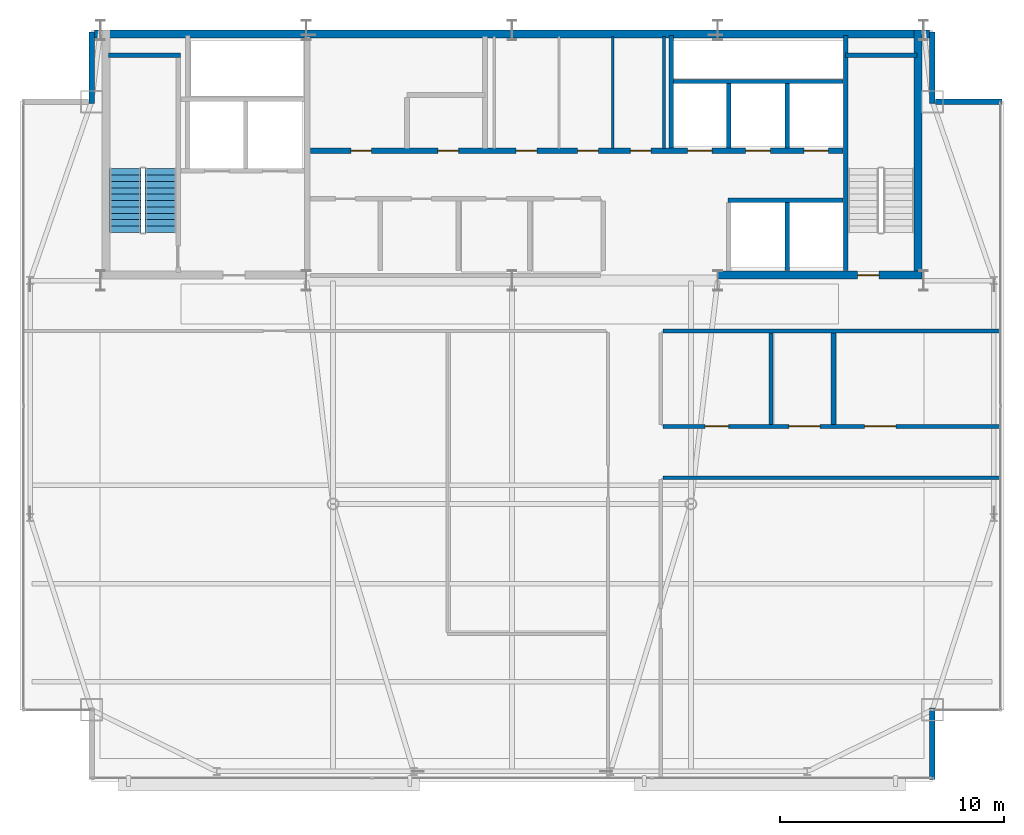
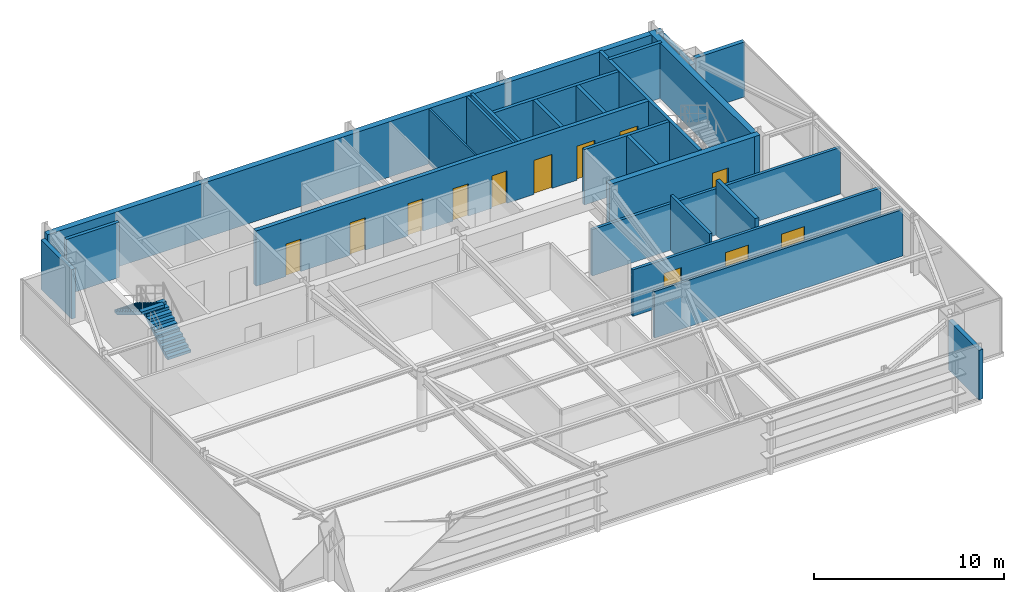
# One storey, part 22 of 24: 24 walls, 12 doors, 2 stair flights, 12 openings, 1 element without a shape of its own.
"""IFC4 building model written with IfcOpenShell, lengths in metres."""

from ifc_helpers import new_model, si_unit, direction, frame, frame_2d, origin, place, context, subcontext, project, spatial, polyline, rectangle, outline, extrude, source, transform, mapped, material, layer, layer_set, type_object, type_shapes, element, fill, aggregate, save


model = new_model("IFC4")

# Units and contexts
model_context = context("Model", 3, precision=1e-05, world=origin(), true_north=direction((0.0, 1.0)))
body_context = subcontext(model_context, "Body", "Model", "MODEL_VIEW")
ifc_project = project(units=[si_unit("LENGTHUNIT", "METRE"), si_unit("AREAUNIT", "SQUARE_METRE"), si_unit("VOLUMEUNIT", "CUBIC_METRE"), si_unit("PLANEANGLEUNIT", "RADIAN"), si_unit("MASSUNIT", "GRAM", prefix="KILO")], contexts=[model_context])

# Site, building, storey
site_placement = place(None, origin())
site = spatial("IfcSite", under=ifc_project, at=site_placement, CompositionType="ELEMENT")
building_placement = place(site_placement, origin())
building = spatial("IfcBuilding", under=site, at=building_placement, Name="Varnel Quay Broadcast Tower", CompositionType="ELEMENT")
storey_placement = place(building_placement, frame((0.0, 0.0, 269.800048828125)))
storey = spatial("IfcBuildingStorey", under=building, at=storey_placement, Name="L67", CompositionType="ELEMENT", Elevation=269.800048828125)

# Walls
ifc_material_1 = material(Name="Concrete CSA A23.3 C50/60", Category="concrete")
ifc_layer_1 = layer(ifc_material_1, 0.199951171875, Name="Concrete CSA A23.3 C50/60")
ifc_layer_set_1 = layer_set([ifc_layer_1], Name="Concrete CSA A23.3 C50/60")
wall_type_1 = type_object("IfcWallType", Name="Wall_CoreShaftShear200", PredefinedType="SHEAR", material=ifc_layer_set_1)
wall_1_placement = place(storey_placement, frame((15.949951171875, 45.679931640625, 0.0), z_axis=(0.0, 0.0, 1.0), x_axis=(1.0, 0.0, 0.0)))
element("IfcWall", 1, at=wall_1_placement, inside=storey, type_object=wall_type_1, Name="L67 Stair 1 North Structural Wall", PredefinedType="SHEAR", context=body_context, shape_type="SweptSolid", body=[
    extrude(rectangle(XDim=3.22998046875, YDim=0.199951171875, at=frame_2d((1.614990234375, 0.0))), origin(), (0.0, 0.0, 1.0), 3.550048828125),
])
wall_2_placement = place(storey_placement, frame((48.919921875, 36.050048828125, 0.0), z_axis=(0.0, 0.0, 1.0), x_axis=(0.0, 1.0, 0.0)))
element("IfcWall", 2, at=wall_2_placement, inside=storey, type_object=wall_type_1, Name="L67 Stair 2 West Structural Wall", PredefinedType="SHEAR", context=body_context, shape_type="SweptSolid", body=[
    extrude(rectangle(XDim=10.5, YDim=0.199951171875, at=frame_2d((5.25, 0.0))), origin(), (0.0, 0.0, 1.0), 3.550048828125),
])
wall_3_placement = place(storey_placement, frame((48.919921875, 45.679931640625, 0.0), z_axis=(0.0, 0.0, 1.0), x_axis=(1.0, 0.0, 0.0)))
element("IfcWall", 3, at=wall_3_placement, inside=storey, type_object=wall_type_1, Name="L67 Stair 2 North Structural Wall", PredefinedType="SHEAR", context=body_context, shape_type="SweptSolid", body=[
    extrude(rectangle(XDim=3.18017578125, YDim=0.199951171875, at=frame_2d((1.590087890625, 0.0))), origin(), (0.0, 0.0, 1.0), 3.550048828125),
])
wall_4_placement = place(storey_placement, frame((41.219970703125, 44.5, 0.0), z_axis=(0.0, 0.0, 1.0), x_axis=(1.0, 0.0, 0.0)))
element("IfcWall", 4, at=wall_4_placement, inside=storey, type_object=wall_type_1, Name="L67 High-Rise Lift Shaft Rear Wall", PredefinedType="SHEAR", context=body_context, shape_type="SweptSolid", body=[
    extrude(rectangle(XDim=7.580078125, YDim=0.199951171875, at=frame_2d((3.7900390625, 0.0))), origin(), (0.0, 0.0, 1.0), 3.550048828125),
])
wall_5_placement = place(storey_placement, frame((41.1201171875, 41.530029296875, 0.0), z_axis=(0.0, 0.0, 1.0), x_axis=(0.0, 1.0, 0.0)))
element("IfcWall", 5, at=wall_5_placement, inside=storey, type_object=wall_type_1, Name="L67 High-Rise Lift Shaft Divider 1", PredefinedType="SHEAR", context=body_context, shape_type="SweptSolid", body=[
    extrude(rectangle(XDim=5.02001953125, YDim=0.199951171875, at=frame_2d((2.510009765625, 0.0))), origin(), (0.0, 0.0, 1.0), 3.550048828125),
])
for number, where, z_axis, x_axis, name in (
    (6, (43.699951171875, 41.530029296875, 0.0), (0.0, 0.0, 1.0), (0.0, 1.0, 0.0), "L67 High-Rise Lift Shaft Divider 2"),
    (7, (46.300048828125, 41.530029296875, 0.0), (0.0, 0.0, 1.0), (0.0, 1.0, 0.0), "L67 High-Rise Lift Shaft Divider 3"),
):
    element("IfcWall", number, at=place(storey_placement, frame(where, z_axis=z_axis, x_axis=x_axis)), inside=storey, type_object=wall_type_1, Name=name, PredefinedType="SHEAR", context=body_context, shape_type="SweptSolid", body=[
        extrude(rectangle(XDim=2.869873046875, YDim=0.199951171875, at=frame_2d((1.43505859375, 0.0))), origin(), (0.0, 0.0, 1.0), 3.550048828125),
    ])
wall_6_placement = place(storey_placement, frame((46.300048828125, 36.050048828125, 0.0), z_axis=(0.0, 0.0, 1.0), x_axis=(0.0, 1.0, 0.0)))
element("IfcWall", 8, at=wall_6_placement, inside=storey, type_object=wall_type_1, Name="L67 Express Lift Shaft Divider", PredefinedType="SHEAR", context=body_context, shape_type="SweptSolid", body=[
    extrude(rectangle(XDim=3.050048828125, YDim=0.199951171875, at=frame_2d((1.52490234375, 0.0))), origin(), (0.0, 0.0, 1.0), 3.550048828125),
])
wall_7_placement = place(storey_placement, frame((43.64990234375, 39.199951171875, 0.0), z_axis=(0.0, 0.0, 1.0), x_axis=(1.0, 0.0, 0.0)))
element("IfcWall", 9, at=wall_7_placement, inside=storey, type_object=wall_type_1, Name="L67 Express Lift Shaft North Front Wall", PredefinedType="SHEAR", context=body_context, shape_type="SweptSolid", body=[
    extrude(rectangle(XDim=5.150146484375, YDim=0.199951171875, at=frame_2d((2.5751953125, 0.0))), origin(), (0.0, 0.0, 1.0), 3.550048828125),
])

# Wall, openings, doors
ifc_layer_2 = layer(ifc_material_1, 0.25, Name="Concrete CSA A23.3 C50/60")
ifc_layer_set_2 = layer_set([ifc_layer_2], Name="Concrete CSA A23.3 C50/60")
wall_type_2 = type_object("IfcWallType", Name="Wall_CoreShaftShear250", PredefinedType="SHEAR", material=ifc_layer_set_2)
wall_8_placement = place(storey_placement, frame((24.97998046875, 41.39990234375, 0.0), z_axis=(0.0, 0.0, 1.0), x_axis=(1.0, 0.0, 0.0)))
wall_8 = element("IfcWall", 10, at=wall_8_placement, inside=storey, type_object=wall_type_2, Name="L67 North Lift Bank & Reclaimed Suite Wall", PredefinedType="SHEAR", context=body_context, shape_type="SweptSolid", body=[
    extrude(rectangle(XDim=23.820068359375, YDim=0.25, at=frame_2d((11.91015625, 0.0))), origin(), (0.0, 0.0, 1.0), 3.550048828125),
])
opening_1_placement = place(wall_8_placement, frame((16.8701171875, 0.0, 0.0)))
opening_1 = element("IfcOpeningElement", 11, at=opening_1_placement, cuts=wall_8, Name="Opening LD-L67-PH-01", PredefinedType="OPENING", context=body_context, shape_type="SweptSolid", body=[
    extrude(rectangle(XDim=1.10009765625, YDim=2.179931640625, at=frame_2d((0.550048828125, 1.08984375))), frame((0.0, 0.135009765625, 0.0), z_axis=(0.0, -1.0, 0.0), x_axis=(1.0, 0.0, 0.0)), (0.0, 0.0, 1.0), 0.27001953125),
])
opening_2_placement = place(wall_8_placement, frame((19.469970703125, 0.0, 0.0)))
opening_2 = element("IfcOpeningElement", 12, at=opening_2_placement, cuts=wall_8, Name="Opening LD-L67-PH-02", PredefinedType="OPENING", context=body_context, shape_type="SweptSolid", body=[
    extrude(rectangle(XDim=1.10009765625, YDim=2.179931640625, at=frame_2d((0.550048828125, 1.08984375))), frame((0.0, 0.135009765625, 0.0), z_axis=(0.0, -1.0, 0.0), x_axis=(1.0, 0.0, 0.0)), (0.0, 0.0, 1.0), 0.27001953125),
])
opening_3_placement = place(wall_8_placement, frame((22.070068359375, 0.0, 0.0)))
opening_3 = element("IfcOpeningElement", 13, at=opening_3_placement, cuts=wall_8, Name="Opening LD-L67-PH-03", PredefinedType="OPENING", context=body_context, shape_type="SweptSolid", body=[
    extrude(rectangle(XDim=1.10009765625, YDim=2.179931640625, at=frame_2d((0.550048828125, 1.08984375))), frame((0.0, 0.135009765625, 0.0), z_axis=(0.0, -1.0, 0.0), x_axis=(1.0, 0.0, 0.0)), (0.0, 0.0, 1.0), 0.27001953125),
])
opening_4_placement = place(wall_8_placement, frame((1.81005859375, 0.0, 0.0)))
opening_4 = element("IfcOpeningElement", 14, at=opening_4_placement, cuts=wall_8, Name="Opening D-L67-RECA1", PredefinedType="OPENING", context=body_context, shape_type="SweptSolid", body=[
    extrude(rectangle(XDim=0.919921875, YDim=2.080078125, at=frame_2d((0.4599609375, 1.0400390625))), frame((0.0, 0.135009765625, 0.0), z_axis=(0.0, -1.0, 0.0), x_axis=(1.0, 0.0, 0.0)), (0.0, 0.0, 1.0), 0.27001953125),
])
opening_5_placement = place(wall_8_placement, frame((5.7099609375, 0.0, 0.0)))
opening_5 = element("IfcOpeningElement", 15, at=opening_5_placement, cuts=wall_8, Name="Opening D-L67-RECA2", PredefinedType="OPENING", context=body_context, shape_type="SweptSolid", body=[
    extrude(rectangle(XDim=0.919921875, YDim=2.080078125, at=frame_2d((0.4599609375, 1.0400390625))), frame((0.0, 0.135009765625, 0.0), z_axis=(0.0, -1.0, 0.0), x_axis=(1.0, 0.0, 0.0)), (0.0, 0.0, 1.0), 0.27001953125),
])
opening_6_placement = place(wall_8_placement, frame((9.2099609375, 0.0, 0.0)))
opening_6 = element("IfcOpeningElement", 16, at=opening_6_placement, cuts=wall_8, Name="Opening D-L67-RECB1", PredefinedType="OPENING", context=body_context, shape_type="SweptSolid", body=[
    extrude(rectangle(XDim=0.919921875, YDim=2.080078125, at=frame_2d((0.4599609375, 1.0400390625))), frame((0.0, 0.135009765625, 0.0), z_axis=(0.0, -1.0, 0.0), x_axis=(1.0, 0.0, 0.0)), (0.0, 0.0, 1.0), 0.27001953125),
])
opening_7_placement = place(wall_8_placement, frame((11.9599609375, 0.0, 0.0)))
opening_7 = element("IfcOpeningElement", 17, at=opening_7_placement, cuts=wall_8, Name="Opening D-L67-RECB2", PredefinedType="OPENING", context=body_context, shape_type="SweptSolid", body=[
    extrude(rectangle(XDim=0.919921875, YDim=2.080078125, at=frame_2d((0.4599609375, 1.0400390625))), frame((0.0, 0.135009765625, 0.0), z_axis=(0.0, -1.0, 0.0), x_axis=(1.0, 0.0, 0.0)), (0.0, 0.0, 1.0), 0.27001953125),
])
opening_8_placement = place(wall_8_placement, frame((14.31005859375, 0.0, 0.0)))
opening_8 = element("IfcOpeningElement", 18, at=opening_8_placement, cuts=wall_8, Name="Opening D-L67-RECB3", PredefinedType="OPENING", context=body_context, shape_type="SweptSolid", body=[
    extrude(rectangle(XDim=0.919921875, YDim=2.080078125, at=frame_2d((0.4599609375, 1.0400390625))), frame((0.0, 0.135009765625, 0.0), z_axis=(0.0, -1.0, 0.0), x_axis=(1.0, 0.0, 0.0)), (0.0, 0.0, 1.0), 0.27001953125),
])
ifc_material_2 = material(Name="Brushed Bronze-Stainless Lift Car & Sliding Doors", Category="steel")
door_type_1 = type_object("IfcDoorType", Name="Door_LiftLanding1100", OperationType="SLIDING_TO_LEFT", PredefinedType="DOOR", material=ifc_material_2)
shared_shape_1 = source(origin(), body_context, "Body", "SweptSolid", [
    extrude(rectangle(XDim=1.10009765625, YDim=2.179931640625, at=frame_2d((0.550048828125, 1.08984375))), frame((0.0, 0.02490234375, 0.0), z_axis=(0.0, -1.0, 0.0), x_axis=(1.0, 0.0, 0.0)), (0.0, 0.0, 1.0), 0.050048828125),
])
type_shapes(door_type_1, [shared_shape_1])
door_1_placement = place(opening_1_placement, frame((1.10009765625, 0.0, 0.0), z_axis=(0.0, 0.0, 1.0), x_axis=(-1.0, 0.0, 0.0)))
door_1 = element("IfcDoor", 19, at=door_1_placement, inside=storey, type_object=door_type_1, Name="L67 Lift PH-01 Landing Door", OperationType="SLIDING_TO_LEFT", OverallHeight=2.179931640625, OverallWidth=1.10009765625, PredefinedType="DOOR", context=body_context, shape_type="MappedRepresentation", body=[
    mapped(shared_shape_1, transform((0.0, 0.0, 0.0), x_axis=(1.0, 0.0, 0.0), y_axis=(0.0, 1.0, 0.0), z_axis=(0.0, 0.0, 1.0), scale=1.0)),
])
fill(opening_1, door_1)
door_2_placement = place(opening_2_placement, frame((1.10009765625, 0.0, 0.0), z_axis=(0.0, 0.0, 1.0), x_axis=(-1.0, 0.0, 0.0)))
door_2 = element("IfcDoor", 20, at=door_2_placement, inside=storey, type_object=door_type_1, Name="L67 Lift PH-02 Landing Door", OperationType="SLIDING_TO_LEFT", OverallHeight=2.179931640625, OverallWidth=1.10009765625, PredefinedType="DOOR", context=body_context, shape_type="MappedRepresentation", body=[
    mapped(shared_shape_1, transform((0.0, 0.0, 0.0), x_axis=(1.0, 0.0, 0.0), y_axis=(0.0, 1.0, 0.0), z_axis=(0.0, 0.0, 1.0), scale=1.0)),
])
fill(opening_2, door_2)
door_3_placement = place(opening_3_placement, frame((1.10009765625, 0.0, 0.0), z_axis=(0.0, 0.0, 1.0), x_axis=(-1.0, 0.0, 0.0)))
door_3 = element("IfcDoor", 21, at=door_3_placement, inside=storey, type_object=door_type_1, Name="L67 Lift PH-03 Landing Door", OperationType="SLIDING_TO_LEFT", OverallHeight=2.179931640625, OverallWidth=1.10009765625, PredefinedType="DOOR", context=body_context, shape_type="MappedRepresentation", body=[
    mapped(shared_shape_1, transform((0.0, 0.0, 0.0), x_axis=(1.0, 0.0, 0.0), y_axis=(0.0, 1.0, 0.0), z_axis=(0.0, 0.0, 1.0), scale=1.0)),
])
fill(opening_3, door_3)
ifc_material_3 = material(Name="Solid-Core Fire-Rated Acoustic Oak Veneer Door", Category="wood")
door_type_2 = type_object("IfcDoorType", Name="Door_Office920", OperationType="NOTDEFINED", PredefinedType="DOOR", material=ifc_material_3)
shared_shape_2 = source(origin(), body_context, "Body", "SweptSolid", [
    extrude(rectangle(XDim=0.919921875, YDim=2.080078125, at=frame_2d((0.4599609375, 1.0400390625))), frame((0.0, 0.02490234375, 0.0), z_axis=(0.0, -1.0, 0.0), x_axis=(1.0, 0.0, 0.0)), (0.0, 0.0, 1.0), 0.050048828125),
])
type_shapes(door_type_2, [shared_shape_2])
door_4_placement = place(opening_4_placement, origin())
door_4 = element("IfcDoor", 22, at=door_4_placement, inside=storey, type_object=door_type_2, Name="L67 Signal Routing Suite Door", OperationType="SINGLE_SWING_LEFT", OverallHeight=2.080078125, OverallWidth=0.919921875, PredefinedType="DOOR", context=body_context, shape_type="MappedRepresentation", body=[
    mapped(shared_shape_2, transform((0.0, 0.0, 0.0), x_axis=(1.0, 0.0, 0.0), y_axis=(0.0, 1.0, 0.0), z_axis=(0.0, 0.0, 1.0), scale=1.0)),
])
fill(opening_4, door_4)
door_5_placement = place(opening_5_placement, origin())
door_5 = element("IfcDoor", 23, at=door_5_placement, inside=storey, type_object=door_type_2, Name="L67 Archive Media Store Door", OperationType="SINGLE_SWING_RIGHT", OverallHeight=2.080078125, OverallWidth=0.919921875, PredefinedType="DOOR", context=body_context, shape_type="MappedRepresentation", body=[
    mapped(shared_shape_2, transform((0.0, 0.0, 0.0), x_axis=(1.0, 0.0, 0.0), y_axis=(0.0, 1.0, 0.0), z_axis=(0.0, 0.0, 1.0), scale=1.0)),
])
fill(opening_5, door_5)
door_6_placement = place(opening_6_placement, origin())
door_6 = element("IfcDoor", 24, at=door_6_placement, inside=storey, type_object=door_type_2, Name="L67 Audio Patch Closet Door", OperationType="SINGLE_SWING_LEFT", OverallHeight=2.080078125, OverallWidth=0.919921875, PredefinedType="DOOR", context=body_context, shape_type="MappedRepresentation", body=[
    mapped(shared_shape_2, transform((0.0, 0.0, 0.0), x_axis=(1.0, 0.0, 0.0), y_axis=(0.0, 1.0, 0.0), z_axis=(0.0, 0.0, 1.0), scale=1.0)),
])
fill(opening_6, door_6)
door_7_placement = place(opening_7_placement, origin())
door_7 = element("IfcDoor", 25, at=door_7_placement, inside=storey, type_object=door_type_2, Name="L67 Bureau Reference Archive Door", OperationType="SINGLE_SWING_RIGHT", OverallHeight=2.080078125, OverallWidth=0.919921875, PredefinedType="DOOR", context=body_context, shape_type="MappedRepresentation", body=[
    mapped(shared_shape_2, transform((0.0, 0.0, 0.0), x_axis=(1.0, 0.0, 0.0), y_axis=(0.0, 1.0, 0.0), z_axis=(0.0, 0.0, 1.0), scale=1.0)),
])
fill(opening_7, door_7)
door_8_placement = place(opening_8_placement, origin())
door_8 = element("IfcDoor", 26, at=door_8_placement, inside=storey, type_object=door_type_2, Name="L67 Crew Espresso Niche Door", OperationType="SINGLE_SWING_LEFT", OverallHeight=2.080078125, OverallWidth=0.919921875, PredefinedType="DOOR", context=body_context, shape_type="MappedRepresentation", body=[
    mapped(shared_shape_2, transform((0.0, 0.0, 0.0), x_axis=(1.0, 0.0, 0.0), y_axis=(0.0, 1.0, 0.0), z_axis=(0.0, 0.0, 1.0), scale=1.0)),
])
fill(opening_8, door_8)

# Walls
ifc_layer_3 = layer(ifc_material_1, 0.35009765625, Name="Concrete CSA A23.3 C50/60")
ifc_layer_set_3 = layer_set([ifc_layer_3], Name="Concrete CSA A23.3 C50/60")
wall_type_3 = type_object("IfcWallType", Name="Wall_CoreShearExt350", PredefinedType="SHEAR", material=ifc_layer_set_3)
wall_9_placement = place(storey_placement, frame((15.324951171875, 46.625, 0.0), z_axis=(0.0, 0.0, 1.0), x_axis=(1.0, 0.0, 0.0)))
element("IfcWall", 27, at=wall_9_placement, inside=storey, type_object=wall_type_3, Name="L67 North Core Shear Wall", PredefinedType="SHEAR", context=body_context, shape_type="SweptSolid", body=[
    extrude(rectangle(XDim=37.35009765625, YDim=0.35009765625, at=frame_2d((18.675048828125, 0.0))), origin(), (0.0, 0.0, 1.0), 3.550048828125),
])
ifc_layer_4 = layer(ifc_material_1, 0.35009765625, Name="Concrete CSA A23.3 C50/60")
ifc_layer_set_4 = layer_set([ifc_layer_4], Name="Concrete CSA A23.3 C50/60")
wall_type_4 = type_object("IfcWallType", Name="Wall_CoreShearInt350", PredefinedType="SHEAR", material=ifc_layer_set_4)
wall_10_placement = place(storey_placement, frame((52.155029296875, 35.669921875, 0.0), z_axis=(0.0, 0.0, 1.0), x_axis=(0.0, 1.0, 0.0)))
element("IfcWall", 28, at=wall_10_placement, inside=storey, type_object=wall_type_4, Name="L67 East Core Shear Wall", PredefinedType="SHEAR", context=body_context, shape_type="SweptSolid", body=[
    extrude(rectangle(XDim=11.130126953125, YDim=0.35009765625, at=frame_2d((5.56494140625, 0.0))), origin(), (0.0, 0.0, 1.0), 3.550048828125),
])

# Wall, opening, door
wall_11_placement = place(storey_placement, frame((43.199951171875, 35.844970703125, 0.0), z_axis=(0.0, 0.0, 1.0), x_axis=(1.0, 0.0, 0.0)))
wall_11 = element("IfcWall", 29, at=wall_11_placement, inside=storey, type_object=wall_type_4, Name="L67 South-East Core Shear Wall", PredefinedType="SHEAR", context=body_context, shape_type="SweptSolid", body=[
    extrude(rectangle(XDim=9.130126953125, YDim=0.35009765625, at=frame_2d((4.56494140625, 0.0))), origin(), (0.0, 0.0, 1.0), 3.550048828125),
])
opening_9_placement = place(wall_11_placement, frame((6.25, 0.0, 0.0)))
opening_9 = element("IfcOpeningElement", 30, at=opening_9_placement, cuts=wall_11, Name="Opening D-L67-S2", PredefinedType="OPENING", context=body_context, shape_type="SweptSolid", body=[
    extrude(rectangle(XDim=0.949951171875, YDim=2.10009765625, at=frame_2d((0.47509765625, 1.050048828125))), frame((0.0, 0.18505859375, 0.0), z_axis=(0.0, -1.0, 0.0), x_axis=(1.0, 0.0, 0.0)), (0.0, 0.0, 1.0), 0.3701171875),
])
ifc_material_4 = material(Name="Insulated Fire-Rated Hollow Steel Door", Category="steel")
door_type_3 = type_object("IfcDoorType", Name="Door_FireStair950", OperationType="NOTDEFINED", PredefinedType="DOOR", material=ifc_material_4)
shared_shape_3 = source(origin(), body_context, "Body", "SweptSolid", [
    extrude(rectangle(XDim=0.949951171875, YDim=2.10009765625, at=frame_2d((0.47509765625, 1.050048828125))), frame((0.0, 0.02490234375, 0.0), z_axis=(0.0, -1.0, 0.0), x_axis=(1.0, 0.0, 0.0)), (0.0, 0.0, 1.0), 0.050048828125),
])
type_shapes(door_type_3, [shared_shape_3])
door_9_placement = place(opening_9_placement, origin())
door_9 = element("IfcDoor", 31, at=door_9_placement, inside=storey, type_object=door_type_3, Name="L67 Stair 2 Fire Door", OperationType="SINGLE_SWING_RIGHT", OverallHeight=2.10009765625, OverallWidth=0.949951171875, PredefinedType="DOOR", context=body_context, shape_type="MappedRepresentation", body=[
    mapped(shared_shape_3, transform((0.0, 0.0, 0.0), x_axis=(1.0, 0.0, 0.0), y_axis=(0.0, 1.0, 0.0), z_axis=(0.0, 0.0, 1.0), scale=1.0)),
])
fill(opening_9, door_9)

# Walls
ifc_material_5 = material(Name="Precast Architectural Concrete C40/50", Category="concrete")
ifc_layer_5 = layer(ifc_material_5, 0.25, Name="Precast Architectural Concrete C40/50")
ifc_layer_set_5 = layer_set([ifc_layer_5], Name="Precast Architectural Concrete C40/50")
wall_type_5 = type_object("IfcWallType", Name="Wall_ExtTerrace250", PredefinedType="SOLIDWALL", material=ifc_layer_set_5)
for number, where, z_axis, x_axis, name in (
    (32, (52.800048828125, 13.280029296875, 0.0), (0.0, 0.0, 1.0), (0.0, 1.0, 0.0), "L67 Mega-Column Notch Cladding Wall NSE2"),
    (33, (15.199951171875, 43.52001953125, 0.0), (0.0, 0.0, 1.0), (0.0, 1.0, 0.0), "L67 Mega-Column Notch Cladding Wall NNW2"),
):
    element("IfcWall", number, at=place(storey_placement, frame(where, z_axis=z_axis, x_axis=x_axis)), inside=storey, type_object=wall_type_5, Name=name, PredefinedType="SOLIDWALL", context=body_context, shape_type="SweptSolid", body=[
        extrude(rectangle(XDim=3.199951171875, YDim=0.25, at=frame_2d((1.60009765625, 0.0))), origin(), (0.0, 0.0, 1.0), 3.1708984375),
    ])
wall_12_placement = place(storey_placement, frame((52.929931640625, 43.60009765625, 0.0), z_axis=(0.0, 0.0, 1.0), x_axis=(1.0, 0.0, 0.0)))
element("IfcWall", 34, at=wall_12_placement, inside=storey, type_object=wall_type_5, Name="L67 Mega-Column Notch Cladding Wall NNE1", PredefinedType="SOLIDWALL", context=body_context, shape_type="SweptSolid", body=[
    extrude(rectangle(XDim=2.989990234375, YDim=0.25, at=frame_2d((1.4951171875, 0.0))), origin(), (0.0, 0.0, 1.0), 3.530029296875),
])
wall_13_placement = place(storey_placement, frame((52.800048828125, 43.52001953125, 0.0), z_axis=(0.0, 0.0, 1.0), x_axis=(0.0, 1.0, 0.0)))
element("IfcWall", 35, at=wall_13_placement, inside=storey, type_object=wall_type_5, Name="L67 Mega-Column Notch Cladding Wall NNE2", PredefinedType="SOLIDWALL", context=body_context, shape_type="SweptSolid", body=[
    extrude(rectangle(XDim=3.199951171875, YDim=0.25, at=frame_2d((1.60009765625, 0.0))), origin(), (0.0, 0.0, 1.0), 3.1708984375),
])
ifc_material_6 = material(Name="Steel-Stud Fire-Rated Acoustic Gypsum Partition Assembly", Category="steel")
ifc_layer_6 = layer(ifc_material_6, 0.10498046875, Name="Steel-Stud Fire-Rated Acoustic Gypsum Partition Assembly")
ifc_layer_set_6 = layer_set([ifc_layer_6], Name="Steel-Stud Fire-Rated Acoustic Gypsum Partition Assembly")
wall_type_6 = type_object("IfcWallType", Name="Wall_Partition105", PredefinedType="PARTITIONING", material=ifc_layer_set_6)
wall_14_placement = place(storey_placement, frame((38.5, 41.5, 0.0), z_axis=(0.0, 0.0, 1.0), x_axis=(0.0, 1.0, 0.0)))
element("IfcWall", 36, at=wall_14_placement, inside=storey, type_object=wall_type_6, Name="L67 Bureau Reference Archive Partition 23", PredefinedType="PARTITIONING", context=body_context, shape_type="SweptSolid", body=[
    extrude(rectangle(XDim=5.02001953125, YDim=0.10498046875, at=frame_2d((2.510009765625, 0.0))), origin(), (0.0, 0.0, 1.0), 3.530029296875),
])
ifc_layer_7 = layer(ifc_material_6, 0.14990234375, Name="Steel-Stud Fire-Rated Acoustic Gypsum Partition Assembly")
ifc_layer_set_7 = layer_set([ifc_layer_7], Name="Steel-Stud Fire-Rated Acoustic Gypsum Partition Assembly")
wall_type_7 = type_object("IfcWallType", Name="Wall_Partition150", PredefinedType="PARTITIONING", material=ifc_layer_set_7)
wall_15_placement = place(storey_placement, frame((40.75, 26.780029296875, 0.0), z_axis=(0.0, 0.0, 1.0), x_axis=(1.0, 0.0, 0.0)))
element("IfcWall", 37, at=wall_15_placement, inside=storey, type_object=wall_type_7, Name="L67 Pantry Niche 3 Partition 11", PredefinedType="PARTITIONING", context=body_context, shape_type="SweptSolid", body=[
    extrude(rectangle(XDim=15.070068359375, YDim=0.14990234375, at=frame_2d((7.53515625, 0.0))), origin(), (0.0, 0.0, 1.0), 2.98095703125),
])
wall_16_placement = place(storey_placement, frame((40.800048828125, 41.5, 0.0), z_axis=(0.0, 0.0, 1.0), x_axis=(0.0, 1.0, 0.0)))
element("IfcWall", 38, at=wall_16_placement, inside=storey, type_object=wall_type_7, Name="L67 Crew Espresso Niche Partition 24", PredefinedType="PARTITIONING", context=body_context, shape_type="SweptSolid", body=[
    extrude(rectangle(XDim=5.02001953125, YDim=0.14990234375, at=frame_2d((2.510009765625, 0.0))), origin(), (0.0, 0.0, 1.0), 3.530029296875),
])

# Wall, openings, doors
ifc_layer_8 = layer(ifc_material_6, 0.175048828125, Name="Steel-Stud Fire-Rated Acoustic Gypsum Partition Assembly")
ifc_layer_set_8 = layer_set([ifc_layer_8], Name="Steel-Stud Fire-Rated Acoustic Gypsum Partition Assembly")
wall_type_8 = type_object("IfcWallType", Name="Wall_Partition175", PredefinedType="PARTITIONING", material=ifc_layer_set_8)
wall_17_placement = place(storey_placement, frame((40.75, 29.080078125, 0.0), z_axis=(0.0, 0.0, 1.0), x_axis=(1.0, 0.0, 0.0)))
wall_17 = element("IfcWall", 39, at=wall_17_placement, inside=storey, type_object=wall_type_8, Name="L67 Broadcast Seminar Room 4 Partition 13", PredefinedType="PARTITIONING", context=body_context, shape_type="SweptSolid", body=[
    extrude(rectangle(XDim=15.070068359375, YDim=0.175048828125, at=frame_2d((7.53515625, 0.0))), origin(), (0.0, 0.0, 1.0), 2.98095703125),
])
opening_10_placement = place(wall_17_placement, frame((1.889892578125, 0.0, 0.0)))
opening_10 = element("IfcOpeningElement", 40, at=opening_10_placement, cuts=wall_17, Name="Opening D-L67-08", PredefinedType="OPENING", context=body_context, shape_type="SweptSolid", body=[
    extrude(rectangle(XDim=1.050048828125, YDim=2.10009765625, at=frame_2d((0.52490234375, 1.050048828125))), frame((0.0, 0.09765625, 0.0), z_axis=(0.0, -1.0, 0.0), x_axis=(1.0, 0.0, 0.0)), (0.0, 0.0, 1.0), 0.195068359375),
])
opening_11_placement = place(wall_17_placement, frame((5.6298828125, 0.0, 0.0)))
opening_11 = element("IfcOpeningElement", 41, at=opening_11_placement, cuts=wall_17, Name="Opening D-L67-09", PredefinedType="OPENING", context=body_context, shape_type="SweptSolid", body=[
    extrude(rectangle(XDim=1.39990234375, YDim=2.1201171875, at=frame_2d((0.699951171875, 1.06005859375))), frame((0.0, 0.09765625, 0.0), z_axis=(0.0, -1.0, 0.0), x_axis=(1.0, 0.0, 0.0)), (0.0, 0.0, 1.0), 0.195068359375),
])
opening_12_placement = place(wall_17_placement, frame((9.014892578125, 0.0, 0.0)))
opening_12 = element("IfcOpeningElement", 42, at=opening_12_placement, cuts=wall_17, Name="Opening D-L67-10", PredefinedType="OPENING", context=body_context, shape_type="SweptSolid", body=[
    extrude(rectangle(XDim=1.39990234375, YDim=2.1201171875, at=frame_2d((0.699951171875, 1.06005859375))), frame((0.0, 0.09765625, 0.0), z_axis=(0.0, -1.0, 0.0), x_axis=(1.0, 0.0, 0.0)), (0.0, 0.0, 1.0), 0.195068359375),
])
door_type_4 = type_object("IfcDoorType", Name="Door_Meeting1050", OperationType="NOTDEFINED", PredefinedType="DOOR", material=ifc_material_3)
shared_shape_4 = source(origin(), body_context, "Body", "SweptSolid", [
    extrude(rectangle(XDim=1.050048828125, YDim=2.10009765625, at=frame_2d((0.52490234375, 1.050048828125))), frame((0.0, 0.02490234375, 0.0), z_axis=(0.0, -1.0, 0.0), x_axis=(1.0, 0.0, 0.0)), (0.0, 0.0, 1.0), 0.050048828125),
])
type_shapes(door_type_4, [shared_shape_4])
door_10_placement = place(opening_10_placement, origin())
door_10 = element("IfcDoor", 43, at=door_10_placement, inside=storey, type_object=door_type_4, Name="L67 Broadcast Seminar Room 4 Door D-L67-08", OperationType="SINGLE_SWING_RIGHT", OverallHeight=2.10009765625, OverallWidth=1.050048828125, PredefinedType="DOOR", context=body_context, shape_type="MappedRepresentation", body=[
    mapped(shared_shape_4, transform((0.0, 0.0, 0.0), x_axis=(1.0, 0.0, 0.0), y_axis=(0.0, 1.0, 0.0), z_axis=(0.0, 0.0, 1.0), scale=1.0)),
])
fill(opening_10, door_10)
door_type_5 = type_object("IfcDoorType", Name="Door_Gallery1400", OperationType="DOUBLE_DOOR_SINGLE_SWING", PredefinedType="DOOR", material=ifc_material_3)
shared_shape_5 = source(origin(), body_context, "Body", "SweptSolid", [
    extrude(rectangle(XDim=1.39990234375, YDim=2.1201171875, at=frame_2d((0.699951171875, 1.06005859375))), frame((0.0, 0.02490234375, 0.0), z_axis=(0.0, -1.0, 0.0), x_axis=(1.0, 0.0, 0.0)), (0.0, 0.0, 1.0), 0.050048828125),
])
type_shapes(door_type_5, [shared_shape_5])
door_11_placement = place(opening_11_placement, origin())
door_11 = element("IfcDoor", 44, at=door_11_placement, inside=storey, type_object=door_type_5, Name="L67 Podcast Recording Studio 5 Door D-L67-09", OperationType="DOUBLE_DOOR_SINGLE_SWING", OverallHeight=2.1201171875, OverallWidth=1.39990234375, PredefinedType="DOOR", context=body_context, shape_type="MappedRepresentation", body=[
    mapped(shared_shape_5, transform((0.0, 0.0, 0.0), x_axis=(1.0, 0.0, 0.0), y_axis=(0.0, 1.0, 0.0), z_axis=(0.0, 0.0, 1.0), scale=1.0)),
])
fill(opening_11, door_11)
door_12_placement = place(opening_12_placement, origin())
door_12 = element("IfcDoor", 45, at=door_12_placement, inside=storey, type_object=door_type_5, Name="L67 Foley Sound Studio 6 Door D-L67-10", OperationType="DOUBLE_DOOR_SINGLE_SWING", OverallHeight=2.1201171875, OverallWidth=1.39990234375, PredefinedType="DOOR", context=body_context, shape_type="MappedRepresentation", body=[
    mapped(shared_shape_5, transform((0.0, 0.0, 0.0), x_axis=(1.0, 0.0, 0.0), y_axis=(0.0, 1.0, 0.0), z_axis=(0.0, 0.0, 1.0), scale=1.0)),
])
fill(opening_12, door_12)

# Walls
wall_18_placement = place(storey_placement, frame((45.580078125, 29.1669921875, 0.0), z_axis=(0.0, 0.0, 1.0), x_axis=(0.0, 1.0, 0.0)))
element("IfcWall", 46, at=wall_18_placement, inside=storey, type_object=wall_type_8, Name="L67 Broadcast Seminar Room 4 Partition 14", PredefinedType="PARTITIONING", context=body_context, shape_type="SweptSolid", body=[
    extrude(rectangle(XDim=4.095947265625, YDim=0.175048828125, at=frame_2d((2.0478515625, 0.0))), origin(), (0.0, 0.0, 1.0), 3.530029296875),
])
wall_19_placement = place(storey_placement, frame((40.75, 33.35009765625, 0.0), z_axis=(0.0, 0.0, 1.0), x_axis=(1.0, 0.0, 0.0)))
element("IfcWall", 47, at=wall_19_placement, inside=storey, type_object=wall_type_8, Name="L67 Broadcast Seminar Room 4 Partition 15", PredefinedType="PARTITIONING", context=body_context, shape_type="SweptSolid", body=[
    extrude(rectangle(XDim=15.070068359375, YDim=0.175048828125, at=frame_2d((7.53515625, 0.0))), origin(), (0.0, 0.0, 1.0), 2.98095703125),
])
ifc_layer_9 = layer(ifc_material_6, 0.22509765625, Name="Steel-Stud Fire-Rated Acoustic Gypsum Partition Assembly")
ifc_layer_set_9 = layer_set([ifc_layer_9], Name="Steel-Stud Fire-Rated Acoustic Gypsum Partition Assembly")
wall_type_9 = type_object("IfcWallType", Name="Wall_Partition225", PredefinedType="PARTITIONING", material=ifc_layer_set_9)
wall_20_placement = place(storey_placement, frame((48.3798828125, 29.1669921875, 0.0), z_axis=(0.0, 0.0, 1.0), x_axis=(0.0, 1.0, 0.0)))
element("IfcWall", 48, at=wall_20_placement, inside=storey, type_object=wall_type_9, Name="L67 Podcast Recording Studio 5 Partition 17", PredefinedType="PARTITIONING", context=body_context, shape_type="SweptSolid", body=[
    extrude(rectangle(XDim=4.095947265625, YDim=0.22509765625, at=frame_2d((2.0478515625, 0.0))), origin(), (0.0, 0.0, 1.0), 3.530029296875),
])

# Stair, stair flights
ifc_material_7 = material(Name="Precast Structural Concrete C40/50", Category="concrete")
stair_type = type_object("IfcStairType", Name="Stair_ST-01", PredefinedType="HALF_TURN_STAIR", material=ifc_material_7)
stair_placement = place(storey_placement, origin())
stair = element("IfcStair", 49, at=stair_placement, inside=storey, type_object=stair_type, Name="L67 West Core Exit Stair 1", PredefinedType="HALF_TURN_STAIR")
stair_flight_type = type_object("IfcStairFlightType", Name="Flight_ST-01", PredefinedType="STRAIGHT", material=ifc_material_7)
stair_flight_1_placement = place(storey_placement, frame((18.300048828125, 37.75, 0.0), z_axis=(0.0, 0.0, 1.0), x_axis=(0.0, 1.0, 0.0)))
stair_flight_1 = element("IfcStairFlight", 50, at=stair_flight_1_placement, type_object=stair_flight_type, Name="ST-01 flight 1", NumberOfRisers=11, NumberOfTreads=10, PredefinedType="STRAIGHT", RiserHeight=0.172727273, TreadLength=0.285, context=body_context, shape_type="SweptSolid", body=[
    extrude(outline(polyline([(0.0, 0.0), (0.0, 0.172607421875), (0.284912109375, 0.172607421875), (0.284912109375, 0.345458984375), (0.570068359375, 0.345458984375), (0.570068359375, 0.51806640625), (0.85498046875, 0.51806640625), (0.85498046875, 0.69091796875), (1.139892578125, 0.69091796875), (1.139892578125, 0.863525390625), (1.425048828125, 0.863525390625), (1.425048828125, 1.036376953125), (1.7099609375, 1.036376953125), (1.7099609375, 1.208984375), (1.9951171875, 1.208984375), (1.9951171875, 1.3818359375), (2.280029296875, 1.3818359375), (2.280029296875, 1.554443359375), (2.56494140625, 1.554443359375), (2.56494140625, 1.727294921875), (2.85009765625, 1.727294921875), (2.85009765625, 1.89990234375), (2.85009765625, 1.552001953125), (0.289306640625, 0.0), (0.0, 0.0)])), frame((0.0, 0.699951171875, 0.0), z_axis=(0.0, -1.0, 0.0), x_axis=(1.0, 0.0, 0.0)), (0.0, 0.0, 1.0), 1.39990234375),
])
stair_flight_2_placement = place(storey_placement, frame((16.699951171875, 40.60009765625, 1.89990234375), z_axis=(0.0, 0.0, 1.0), x_axis=(0.0, -1.0, 0.0)))
stair_flight_2 = element("IfcStairFlight", 51, at=stair_flight_2_placement, type_object=stair_flight_type, Name="ST-01 flight 2", NumberOfRisers=11, NumberOfTreads=10, PredefinedType="STRAIGHT", RiserHeight=0.172727273, TreadLength=0.285, context=body_context, shape_type="SweptSolid", body=[
    extrude(outline(polyline([(0.0, 0.0), (0.0, 0.172607421875), (0.284912109375, 0.172607421875), (0.284912109375, 0.345458984375), (0.570068359375, 0.345458984375), (0.570068359375, 0.51806640625), (0.85498046875, 0.51806640625), (0.85498046875, 0.69091796875), (1.139892578125, 0.69091796875), (1.139892578125, 0.863525390625), (1.425048828125, 0.863525390625), (1.425048828125, 1.036376953125), (1.7099609375, 1.036376953125), (1.7099609375, 1.208984375), (1.9951171875, 1.208984375), (1.9951171875, 1.3818359375), (2.280029296875, 1.3818359375), (2.280029296875, 1.554443359375), (2.56494140625, 1.554443359375), (2.56494140625, 1.727294921875), (2.85009765625, 1.727294921875), (2.85009765625, 1.89990234375), (2.85009765625, 1.552001953125), (0.289306640625, 0.0), (0.0, 0.0)])), frame((0.0, 0.699951171875, 0.0), z_axis=(0.0, -1.0, 0.0), x_axis=(1.0, 0.0, 0.0)), (0.0, 0.0, 1.0), 1.39990234375),
])
aggregate(stair, [stair_flight_1, stair_flight_2])

save(model, "model.ifc")
